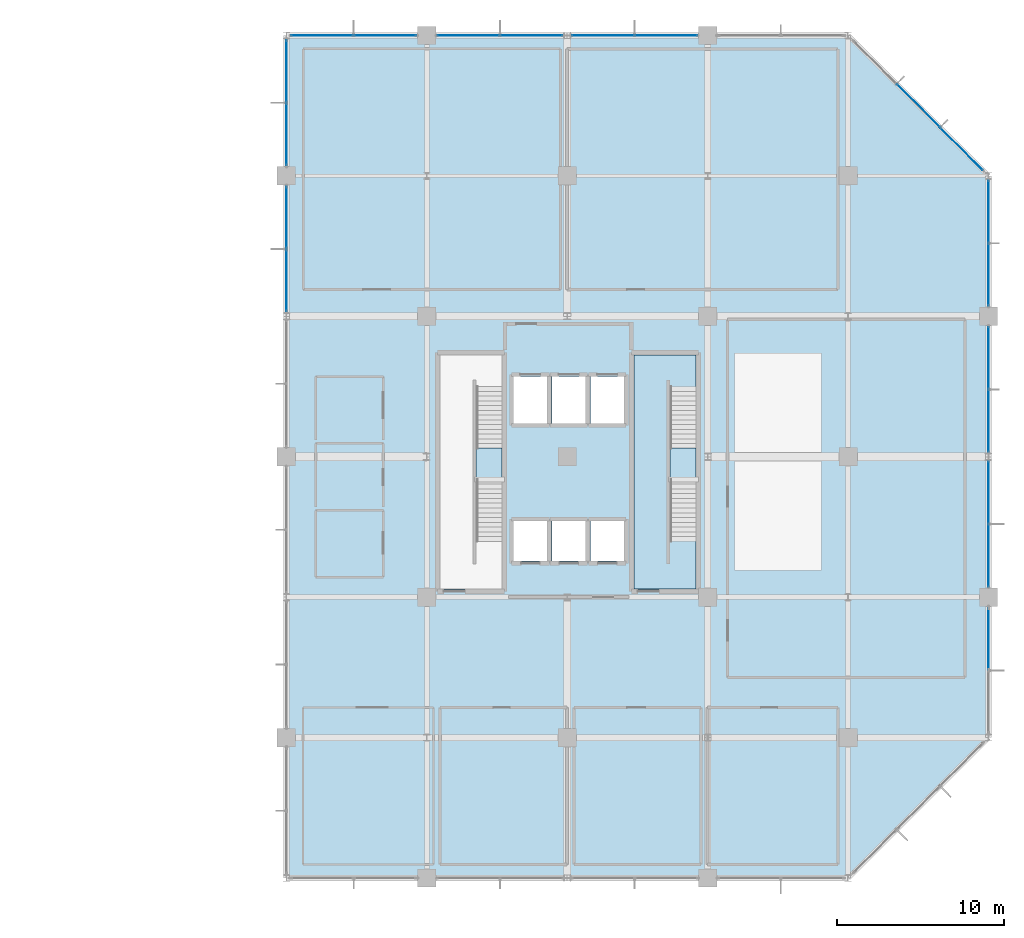
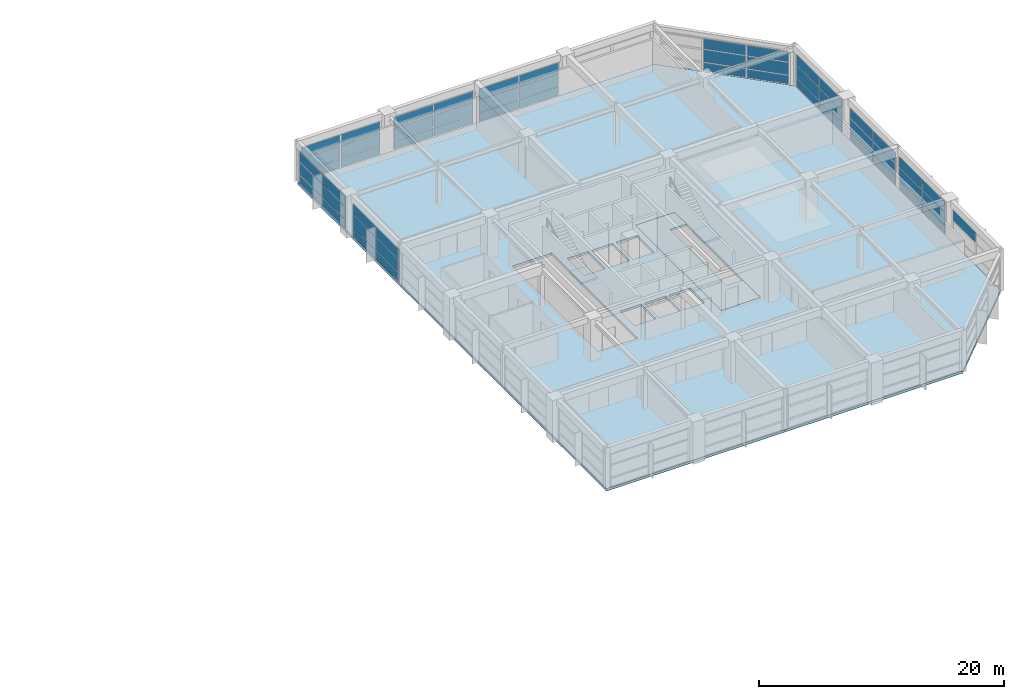
# One storey, part 13 of 18: 55 plates, 4 slabs, 12 elements without a shape of their own.
"""IFC4 building model written with IfcOpenShell, lengths in metres."""

import ifcopenshell
import ifcopenshell.guid

model = None  # the IFC model being written
_history = None  # IfcOwnerHistory: only IFC2X3 demands one
_inside = {}  # id of a spatial element -> (the spatial element, [elements in it])
_under = {}  # id of a project, library or spatial element -> (it, [spatial elements below it])
_declared = {}  # id of a project -> (the project, [libraries it declares])
_typed = {}  # id of a type object -> (the type object, [elements of that type])
_made_of = {}  # id of a material, layer set ... -> (it, [elements and type objects made of it])


def new_model(schema):
    """Start an empty IFC model of exactly this schema.

    Asked for "IFC4X3", IfcOpenShell would pick the latest addendum, in which some entities
    have other attributes; the version numbers below select the first issue.
    IFC2X3 requires an IfcOwnerHistory on every rooted entity: one is made here for all.
    """
    global model, _history
    if schema == "IFC4X3":
        model = ifcopenshell.file(schema_version=(4, 3, 0, 0))
    else:
        model = ifcopenshell.file(schema=schema)
    _inside.clear()
    _under.clear()
    _declared.clear()
    _typed.clear()
    _made_of.clear()
    _history = None
    if model.schema == "IFC2X3":
        org = make("IfcOrganization", Name="unknown")
        user = make(
            "IfcPersonAndOrganization",
            ThePerson=make("IfcPerson", FamilyName="unknown"),
            TheOrganization=org,
        )
        app = make(
            "IfcApplication",
            ApplicationDeveloper=org,
            Version="unknown",
            ApplicationFullName="unknown",
            ApplicationIdentifier="unknown",
        )
        _history = make(
            "IfcOwnerHistory",
            OwningUser=user,
            OwningApplication=app,
            ChangeAction="ADDED",
            CreationDate=0,
        )
    return model


def make(cls, **values):
    """One entity of the class cls with the attributes given. An attribute that is None is left unset."""
    return model.create_entity(
        cls, **{name: value for name, value in values.items() if value is not None}
    )


def rooted(cls, **values):
    """An entity with a GlobalId (a new one), such as an element, a storey or a relation."""
    return make(cls, GlobalId=ifcopenshell.guid.new(), OwnerHistory=_history, **values)


def si_unit(unit_type, name, prefix=None):
    """IfcSIUnit, for example si_unit("LENGTHUNIT", "METRE", prefix="MILLI")."""
    return make("IfcSIUnit", UnitType=unit_type, Prefix=prefix, Name=name)


def assignment(units):
    """IfcUnitAssignment: the units of a project."""
    return None if units is None else make("IfcUnitAssignment", Units=units)


def point(xyz):
    """IfcCartesianPoint."""
    return None if xyz is None else make("IfcCartesianPoint", Coordinates=xyz)


def direction(xyz):
    """IfcDirection."""
    return None if xyz is None else make("IfcDirection", DirectionRatios=xyz)


def frame(location, z_axis=None, x_axis=None):
    """IfcAxis2Placement3D, a coordinate frame: its origin and axes. An axis left out is left unset."""
    return make(
        "IfcAxis2Placement3D",
        Location=point(location),
        Axis=direction(z_axis),
        RefDirection=direction(x_axis),
    )


def frame_2d(location, x_axis=None):
    """IfcAxis2Placement2D, a coordinate frame in the plane: its origin and x axis."""
    return make(
        "IfcAxis2Placement2D", Location=point(location), RefDirection=direction(x_axis)
    )


def origin():
    """The frame at (0, 0, 0) with its axes left unset."""
    return frame((0.0, 0.0, 0.0))


def origin_2d():
    """The frame at (0, 0) in the plane with its x axis left unset."""
    return frame_2d((0.0, 0.0))


def place(relative_to, where):
    """IfcLocalPlacement: puts the frame where relative to a parent placement (None: the world)."""
    return make(
        "IfcLocalPlacement", PlacementRelTo=relative_to, RelativePlacement=where
    )


def context(
    kind, dimensions, precision=None, world=None, true_north=None, identifier=None
):
    """IfcGeometricRepresentationContext, for example the 3D "Model" context."""
    return make(
        "IfcGeometricRepresentationContext",
        ContextIdentifier=identifier,
        ContextType=kind,
        CoordinateSpaceDimension=dimensions,
        Precision=precision,
        WorldCoordinateSystem=world,
        TrueNorth=true_north,
    )


def subcontext(parent, identifier, kind, view, scale=None):
    """IfcGeometricRepresentationSubContext, for example "Body" below "Model"."""
    return make(
        "IfcGeometricRepresentationSubContext",
        ContextIdentifier=identifier,
        ContextType=kind,
        ParentContext=parent,
        TargetScale=scale,
        TargetView=view,
    )


def project(units=None, contexts=None):
    """IfcProject with its units and contexts."""
    return rooted(
        "IfcProject",
        Name="project",
        RepresentationContexts=contexts,
        UnitsInContext=assignment(units),
    )


def spatial(cls, under=None, at=None, **own):
    """A site, building, storey or space (cls), placed at a placement, below another one or the project."""
    s = rooted(cls, ObjectPlacement=at, **own)
    if under is not None:
        _under.setdefault(under.id(), (under, []))[1].append(s)
    return s


def polyline(points):
    """IfcPolyline through the points."""
    return make("IfcPolyline", Points=[point(p) for p in points])


def profile(cls, at=None, kind="AREA", **sizes):
    """A parametric profile (cls). Its sizes go by their IFC names, for example OverallWidth=200.0."""
    return make(cls, ProfileType=kind, Position=at, **sizes)


def rectangle(**sizes):
    """IfcRectangleProfileDef."""
    return profile("IfcRectangleProfileDef", **sizes)


def outline(outer, holes=None, kind="AREA"):
    """IfcArbitraryClosedProfileDef: a profile drawn as a closed curve; with holes, ...WithVoids."""
    if holes is None:
        return make("IfcArbitraryClosedProfileDef", ProfileType=kind, OuterCurve=outer)
    return make(
        "IfcArbitraryProfileDefWithVoids",
        ProfileType=kind,
        OuterCurve=outer,
        InnerCurves=holes,
    )


def extrude(swept, where, along, depth):
    """IfcExtrudedAreaSolid: the profile swept, set in the frame where, extruded along a direction by depth."""
    return make(
        "IfcExtrudedAreaSolid",
        SweptArea=swept,
        Position=where,
        ExtrudedDirection=direction(along),
        Depth=depth,
    )


def shape(context_of_items, identifier, shape_type, items):
    """IfcShapeRepresentation: the items that make up one representation, for example the "Body"."""
    return make(
        "IfcShapeRepresentation",
        ContextOfItems=context_of_items,
        RepresentationIdentifier=identifier,
        RepresentationType=shape_type,
        Items=items,
    )


def material(Name=None, Category=None):
    """IfcMaterial."""
    return make("IfcMaterial", Name=Name, Category=Category)


def layer(
    of_material, thickness, ventilated=None, Name=None, Category=None, Priority=None
):
    """IfcMaterialLayer: one layer of a wall or slab, of a material (None: an air gap)."""
    return make(
        "IfcMaterialLayer",
        Material=of_material,
        LayerThickness=thickness,
        IsVentilated=ventilated,
        Name=Name,
        Category=Category,
        Priority=Priority,
    )


def layer_set(layers, Name=None):
    """IfcMaterialLayerSet."""
    return make("IfcMaterialLayerSet", MaterialLayers=layers, LayerSetName=Name)


def made_of(thing, what):
    """Note that an element or type object is made of a material, layer set ...; save() writes the relation."""
    if what is not None:
        _made_of.setdefault(what.id(), (what, []))[1].append(thing)
    return thing


def type_object(cls, material=None, **own):
    """A type object (cls), such as IfcWallType, which elements share."""
    return made_of(rooted(cls, **own), material)


def element(
    cls,
    number,
    at=None,
    inside=None,
    cuts=None,
    type_object=None,
    material=None,
    context=None,
    identifier="Body",
    shape_type=None,
    held_by="IfcProductDefinitionShape",
    body=None,
    shapes=None,
    **own,
):
    """One element of the class cls, such as IfcWall. Its Tag is "e" and its number.

    at: its placement. inside: the storey or other place that contains it. cuts: it is an
    opening in that element (IfcRelVoidsElement). A single representation is given by context,
    identifier, shape_type and body (its items); several are given by shapes. held_by: the class
    of the entity that holds the representations. save() writes the other relations.
    """
    e = rooted(cls, Tag="e%d" % number, ObjectPlacement=at, **own)
    if body is not None:
        shapes = [shape(context, identifier, shape_type, body)]
    if shapes is not None:
        e.Representation = make(held_by, Representations=shapes)
    if inside is not None:
        _inside.setdefault(inside.id(), (inside, []))[1].append(e)
    if cuts is not None:
        rooted(
            "IfcRelVoidsElement", RelatingBuildingElement=cuts, RelatedOpeningElement=e
        )
    if type_object is not None:
        _typed.setdefault(type_object.id(), (type_object, []))[1].append(e)
    return made_of(e, material)


def aggregate(whole, parts):
    """IfcRelAggregates: a whole, such as a stair, and the parts it consists of."""
    return rooted("IfcRelAggregates", RelatingObject=whole, RelatedObjects=parts)


def save(model, path):
    """Write the relations noted so far, then the file.

    IfcRelAggregates (storeys below a building ...), IfcRelContainedInSpatialStructure (elements
    in a storey), IfcRelDefinesByType, IfcRelAssociatesMaterial and IfcRelDeclares: one each for
    every whole, place, type object, material and project.
    """
    for whole, parts in _under.values():
        aggregate(whole, parts)
    for where, things in _inside.values():
        rooted(
            "IfcRelContainedInSpatialStructure",
            RelatedElements=things,
            RelatingStructure=where,
        )
    for kind, things in _typed.values():
        rooted("IfcRelDefinesByType", RelatedObjects=things, RelatingType=kind)
    for what, things in _made_of.values():
        rooted("IfcRelAssociatesMaterial", RelatedObjects=things, RelatingMaterial=what)
    for by, libraries in _declared.values():
        rooted("IfcRelDeclares", RelatingContext=by, RelatedDefinitions=libraries)
    model.write(path)


model = new_model("IFC4")

# Units and contexts
model_context = context("Model", 3, precision=1e-05, world=origin(), true_north=direction((0.0, 1.0)))
body_context = subcontext(model_context, "Body", "Model", "MODEL_VIEW")
ifc_project = project(units=[si_unit("LENGTHUNIT", "METRE"), si_unit("AREAUNIT", "SQUARE_METRE"), si_unit("VOLUMEUNIT", "CUBIC_METRE"), si_unit("PLANEANGLEUNIT", "RADIAN"), si_unit("MASSUNIT", "GRAM", prefix="KILO")], contexts=[model_context])

# Site, building, storey
site_placement = place(None, origin())
site = spatial("IfcSite", under=ifc_project, at=site_placement, CompositionType="ELEMENT")
building_placement = place(site_placement, origin())
building = spatial("IfcBuilding", under=site, at=building_placement, Name="Xuanlan Plaza Opera House", CompositionType="ELEMENT")
storey_placement = place(building_placement, frame((0.0, 0.0, 32.10009765625)))
storey = spatial("IfcBuildingStorey", under=building, at=storey_placement, Name="L07", CompositionType="ELEMENT", Elevation=32.10009765625)

# Curtain wall, plates
ifc_material_1 = material(Name="Anodised Aluminium 6063-T6 and Low-E Glass", Category="aluminium")
curtain_wall_type_1 = type_object("IfcCurtainWallType", Name="ENV-CW-CW-02", PredefinedType="USERDEFINED", material=ifc_material_1)
curtain_wall_1_placement = place(storey_placement, origin())
curtain_wall_1 = element("IfcCurtainWall", 1, at=curtain_wall_1_placement, inside=storey, type_object=curtain_wall_type_1, Name="Unitised Curtain Wall L07-009", ObjectType="UNITISED CURTAIN WALL", PredefinedType="USERDEFINED")
ifc_material_2 = material(Name="Laminated Acoustic Double Glazing", Category="glass")
ifc_layer_1 = layer(ifc_material_2, 0.028076171875)
ifc_layer_set_1 = layer_set([ifc_layer_1], Name="Laminated Acoustic Double Glazing")
plate_type_1 = type_object("IfcPlateType", Name="ENV-CWP-01", PredefinedType="CURTAIN_PANEL", material=ifc_layer_set_1)
plate_1_placement = place(storey_placement, frame((168.0, 69.691162109375, 0.06982421875), z_axis=(0.0, 0.0, 1.0), x_axis=(0.0, 1.0, 0.0)))
plate_1 = element("IfcPlate", 2, at=plate_1_placement, type_object=plate_type_1, Name="CW-02 panel 1.1", PredefinedType="CURTAIN_PANEL", context=body_context, shape_type="SweptSolid", body=[
    extrude(rectangle(XDim=3.6923828125, YDim=0.028076171875, at=origin_2d()), origin(), (0.0, 0.0, 1.0), 0.844970703125),
])
plate_2_placement = place(storey_placement, frame((168.0, 69.691162109375, 0.98486328125), z_axis=(0.0, 0.0, 1.0), x_axis=(0.0, 1.0, 0.0)))
plate_2 = element("IfcPlate", 3, at=plate_2_placement, type_object=plate_type_1, Name="CW-02 panel 1.2", PredefinedType="CURTAIN_PANEL", context=body_context, shape_type="SweptSolid", body=[
    extrude(rectangle(XDim=3.6923828125, YDim=0.028076171875, at=origin_2d()), origin(), (0.0, 0.0, 1.0), 1.22998046875),
])
plate_3_placement = place(storey_placement, frame((168.0, 69.691162109375, 2.284912109375), z_axis=(0.0, 0.0, 1.0), x_axis=(0.0, 1.0, 0.0)))
plate_3 = element("IfcPlate", 4, at=plate_3_placement, type_object=plate_type_1, Name="CW-02 panel 1.3", PredefinedType="CURTAIN_PANEL", context=body_context, shape_type="SweptSolid", body=[
    extrude(rectangle(XDim=3.6923828125, YDim=0.028076171875, at=origin_2d()), origin(), (0.0, 0.0, 1.0), 1.02490234375),
])
plate_4_placement = place(storey_placement, frame((168.0, 73.458740234375, 0.06982421875), z_axis=(0.0, 0.0, 1.0), x_axis=(0.0, 1.0, 0.0)))
plate_4 = element("IfcPlate", 5, at=plate_4_placement, type_object=plate_type_1, Name="CW-02 panel 2.1", PredefinedType="CURTAIN_PANEL", context=body_context, shape_type="SweptSolid", body=[
    extrude(rectangle(XDim=3.6923828125, YDim=0.028076171875, at=origin_2d()), origin(), (0.0, 0.0, 1.0), 0.844970703125),
])
plate_5_placement = place(storey_placement, frame((168.0, 73.458740234375, 0.98486328125), z_axis=(0.0, 0.0, 1.0), x_axis=(0.0, 1.0, 0.0)))
plate_5 = element("IfcPlate", 6, at=plate_5_placement, type_object=plate_type_1, Name="CW-02 panel 2.2", PredefinedType="CURTAIN_PANEL", context=body_context, shape_type="SweptSolid", body=[
    extrude(rectangle(XDim=3.6923828125, YDim=0.028076171875, at=origin_2d()), origin(), (0.0, 0.0, 1.0), 1.22998046875),
])
plate_6_placement = place(storey_placement, frame((168.0, 73.458740234375, 2.284912109375), z_axis=(0.0, 0.0, 1.0), x_axis=(0.0, 1.0, 0.0)))
plate_6 = element("IfcPlate", 7, at=plate_6_placement, type_object=plate_type_1, Name="CW-02 panel 2.3", PredefinedType="CURTAIN_PANEL", context=body_context, shape_type="SweptSolid", body=[
    extrude(rectangle(XDim=3.6923828125, YDim=0.028076171875, at=origin_2d()), origin(), (0.0, 0.0, 1.0), 1.02490234375),
])
aggregate(curtain_wall_1, [plate_1, plate_2, plate_3, plate_4, plate_5, plate_6])

curtain_wall_type_2 = type_object("IfcCurtainWallType", Name="ENV-CW-CW-03", PredefinedType="USERDEFINED", material=ifc_material_1)
curtain_wall_2_placement = place(storey_placement, origin())
curtain_wall_2 = element("IfcCurtainWall", 8, at=curtain_wall_2_placement, inside=storey, type_object=curtain_wall_type_2, Name="Unitised Curtain Wall L07-014", ObjectType="UNITISED CURTAIN WALL", PredefinedType="USERDEFINED")
plate_7_placement = place(storey_placement, frame((131.90869140625, 84.0, 0.06982421875), z_axis=(0.0, 0.0, 1.0), x_axis=(-1.0, 0.0, 0.0)))
plate_7 = element("IfcPlate", 9, at=plate_7_placement, type_object=plate_type_1, Name="CW-03 panel 1.1", PredefinedType="CURTAIN_PANEL", context=body_context, shape_type="SweptSolid", body=[
    extrude(rectangle(XDim=3.6923828125, YDim=0.028076171875, at=origin_2d()), origin(), (0.0, 0.0, 1.0), 0.844970703125),
])
plate_8_placement = place(storey_placement, frame((131.90869140625, 84.0, 0.98486328125), z_axis=(0.0, 0.0, 1.0), x_axis=(-1.0, 0.0, 0.0)))
plate_8 = element("IfcPlate", 10, at=plate_8_placement, type_object=plate_type_1, Name="CW-03 panel 1.2", PredefinedType="CURTAIN_PANEL", context=body_context, shape_type="SweptSolid", body=[
    extrude(rectangle(XDim=3.6923828125, YDim=0.028076171875, at=origin_2d()), origin(), (0.0, 0.0, 1.0), 1.22998046875),
])
plate_9_placement = place(storey_placement, frame((131.90869140625, 84.0, 2.284912109375), z_axis=(0.0, 0.0, 1.0), x_axis=(-1.0, 0.0, 0.0)))
plate_9 = element("IfcPlate", 11, at=plate_9_placement, type_object=plate_type_1, Name="CW-03 panel 1.3", PredefinedType="CURTAIN_PANEL", context=body_context, shape_type="SweptSolid", body=[
    extrude(rectangle(XDim=3.6923828125, YDim=0.028076171875, at=origin_2d()), origin(), (0.0, 0.0, 1.0), 1.02490234375),
])
plate_10_placement = place(storey_placement, frame((128.141357421875, 84.0, 0.06982421875), z_axis=(0.0, 0.0, 1.0), x_axis=(-1.0, 0.0, 0.0)))
plate_10 = element("IfcPlate", 12, at=plate_10_placement, type_object=plate_type_1, Name="CW-03 panel 2.1", PredefinedType="CURTAIN_PANEL", context=body_context, shape_type="SweptSolid", body=[
    extrude(rectangle(XDim=3.6923828125, YDim=0.028076171875, at=origin_2d()), origin(), (0.0, 0.0, 1.0), 0.844970703125),
])
plate_11_placement = place(storey_placement, frame((128.141357421875, 84.0, 0.98486328125), z_axis=(0.0, 0.0, 1.0), x_axis=(-1.0, 0.0, 0.0)))
plate_11 = element("IfcPlate", 13, at=plate_11_placement, type_object=plate_type_1, Name="CW-03 panel 2.2", PredefinedType="CURTAIN_PANEL", context=body_context, shape_type="SweptSolid", body=[
    extrude(rectangle(XDim=3.6923828125, YDim=0.028076171875, at=origin_2d()), origin(), (0.0, 0.0, 1.0), 1.22998046875),
])
plate_12_placement = place(storey_placement, frame((128.141357421875, 84.0, 2.284912109375), z_axis=(0.0, 0.0, 1.0), x_axis=(-1.0, 0.0, 0.0)))
plate_12 = element("IfcPlate", 14, at=plate_12_placement, type_object=plate_type_1, Name="CW-03 panel 2.3", PredefinedType="CURTAIN_PANEL", context=body_context, shape_type="SweptSolid", body=[
    extrude(rectangle(XDim=3.6923828125, YDim=0.028076171875, at=origin_2d()), origin(), (0.0, 0.0, 1.0), 1.02490234375),
])
aggregate(curtain_wall_2, [plate_7, plate_8, plate_9, plate_10, plate_11, plate_12])

# Curtain wall, plate
curtain_wall_3_placement = place(storey_placement, origin())
curtain_wall_3 = element("IfcCurtainWall", 15, at=curtain_wall_3_placement, inside=storey, type_object=curtain_wall_type_2, Name="Unitised Curtain Wall L07-006", ObjectType="UNITISED CURTAIN WALL", PredefinedType="USERDEFINED")
ifc_layer_2 = layer(ifc_material_2, 0.031982421875)
ifc_layer_set_2 = layer_set([ifc_layer_2], Name="Laminated Acoustic Double Glazing")
plate_type_2 = type_object("IfcPlateType", Name="ENV-CWP-02", PredefinedType="CURTAIN_PANEL", material=ifc_layer_set_2)
plate_13_placement = place(storey_placement, frame((168.0, 47.905029296875, 2.2822265625), z_axis=(0.0, 0.0, 1.0), x_axis=(0.0, 1.0, 0.0)))
plate_13 = element("IfcPlate", 16, at=plate_13_placement, type_object=plate_type_2, Name="CW-03 panel 2.3", PredefinedType="CURTAIN_PANEL", context=body_context, shape_type="SweptSolid", body=[
    extrude(rectangle(XDim=3.669921875, YDim=0.031982421875, at=origin_2d()), origin(), (0.0, 0.0, 1.0), 1.032470703125),
])
aggregate(curtain_wall_3, [plate_13])

# Curtain wall, plates
curtain_wall_type_3 = type_object("IfcCurtainWallType", Name="ENV-CW-CW-01", PredefinedType="USERDEFINED", material=ifc_material_1)
curtain_wall_4_placement = place(storey_placement, origin())
curtain_wall_4 = element("IfcCurtainWall", 17, at=curtain_wall_4_placement, inside=storey, type_object=curtain_wall_type_3, Name="Unitised Curtain Wall L07-016", ObjectType="UNITISED CURTAIN WALL", PredefinedType="USERDEFINED")
plate_14_placement = place(storey_placement, frame((126.0, 73.10498046875, 0.06494140625), z_axis=(0.0, 0.0, 1.0), x_axis=(0.0, -1.0, 0.0)))
plate_14 = element("IfcPlate", 18, at=plate_14_placement, type_object=plate_type_2, Name="CW-01 panel 1.1", PredefinedType="CURTAIN_PANEL", context=body_context, shape_type="SweptSolid", body=[
    extrude(rectangle(XDim=3.669921875, YDim=0.031982421875, at=origin_2d()), origin(), (0.0, 0.0, 1.0), 0.8525390625),
])
plate_15_placement = place(storey_placement, frame((126.0, 73.10498046875, 0.982421875), z_axis=(0.0, 0.0, 1.0), x_axis=(0.0, -1.0, 0.0)))
plate_15 = element("IfcPlate", 19, at=plate_15_placement, type_object=plate_type_2, Name="CW-01 panel 1.2", PredefinedType="CURTAIN_PANEL", context=body_context, shape_type="SweptSolid", body=[
    extrude(rectangle(XDim=3.669921875, YDim=0.031982421875, at=origin_2d()), origin(), (0.0, 0.0, 1.0), 1.235107421875),
])
plate_16_placement = place(storey_placement, frame((126.0, 73.10498046875, 2.2822265625), z_axis=(0.0, 0.0, 1.0), x_axis=(0.0, -1.0, 0.0)))
plate_16 = element("IfcPlate", 20, at=plate_16_placement, type_object=plate_type_2, Name="CW-01 panel 1.3", PredefinedType="CURTAIN_PANEL", context=body_context, shape_type="SweptSolid", body=[
    extrude(rectangle(XDim=3.669921875, YDim=0.031982421875, at=origin_2d()), origin(), (0.0, 0.0, 1.0), 1.032470703125),
])
plate_17_placement = place(storey_placement, frame((126.0, 69.344970703125, 0.06494140625), z_axis=(0.0, 0.0, 1.0), x_axis=(0.0, -1.0, 0.0)))
plate_17 = element("IfcPlate", 21, at=plate_17_placement, type_object=plate_type_2, Name="CW-01 panel 2.1", PredefinedType="CURTAIN_PANEL", context=body_context, shape_type="SweptSolid", body=[
    extrude(rectangle(XDim=3.669921875, YDim=0.031982421875, at=origin_2d()), origin(), (0.0, 0.0, 1.0), 0.8525390625),
])
plate_18_placement = place(storey_placement, frame((126.0, 69.344970703125, 0.982421875), z_axis=(0.0, 0.0, 1.0), x_axis=(0.0, -1.0, 0.0)))
plate_18 = element("IfcPlate", 22, at=plate_18_placement, type_object=plate_type_2, Name="CW-01 panel 2.2", PredefinedType="CURTAIN_PANEL", context=body_context, shape_type="SweptSolid", body=[
    extrude(rectangle(XDim=3.669921875, YDim=0.031982421875, at=origin_2d()), origin(), (0.0, 0.0, 1.0), 1.235107421875),
])
plate_19_placement = place(storey_placement, frame((126.0, 69.344970703125, 2.2822265625), z_axis=(0.0, 0.0, 1.0), x_axis=(0.0, -1.0, 0.0)))
plate_19 = element("IfcPlate", 23, at=plate_19_placement, type_object=plate_type_2, Name="CW-01 panel 2.3", PredefinedType="CURTAIN_PANEL", context=body_context, shape_type="SweptSolid", body=[
    extrude(rectangle(XDim=3.669921875, YDim=0.031982421875, at=origin_2d()), origin(), (0.0, 0.0, 1.0), 1.032470703125),
])
aggregate(curtain_wall_4, [plate_14, plate_15, plate_16, plate_17, plate_18, plate_19])

curtain_wall_5_placement = place(storey_placement, origin())
curtain_wall_5 = element("IfcCurtainWall", 24, at=curtain_wall_5_placement, inside=storey, type_object=curtain_wall_type_3, Name="Unitised Curtain Wall L07-008", ObjectType="UNITISED CURTAIN WALL", PredefinedType="USERDEFINED")
ifc_layer_3 = layer(ifc_material_2, 0.035888671875)
ifc_layer_set_3 = layer_set([ifc_layer_3], Name="Laminated Acoustic Double Glazing")
plate_type_3 = type_object("IfcPlateType", Name="ENV-CWP-03", PredefinedType="CURTAIN_PANEL", material=ifc_layer_set_3)
plate_20_placement = place(storey_placement, frame((168.0, 60.93994140625, 0.08984375), z_axis=(0.0, 0.0, 1.0), x_axis=(0.0, 1.0, 0.0)))
plate_20 = element("IfcPlate", 25, at=plate_20_placement, type_object=plate_type_3, Name="CW-01 panel 1.1", PredefinedType="CURTAIN_PANEL", context=body_context, shape_type="SweptSolid", body=[
    extrude(rectangle(XDim=3.699951171875, YDim=0.035888671875, at=origin_2d()), origin(), (0.0, 0.0, 1.0), 0.81494140625),
])
plate_21_placement = place(storey_placement, frame((168.0, 60.93994140625, 0.994873046875), z_axis=(0.0, 0.0, 1.0), x_axis=(0.0, 1.0, 0.0)))
plate_21 = element("IfcPlate", 26, at=plate_21_placement, type_object=plate_type_3, Name="CW-01 panel 1.2", PredefinedType="CURTAIN_PANEL", context=body_context, shape_type="SweptSolid", body=[
    extrude(rectangle(XDim=3.699951171875, YDim=0.035888671875, at=origin_2d()), origin(), (0.0, 0.0, 1.0), 1.2099609375),
])
plate_22_placement = place(storey_placement, frame((168.0, 60.93994140625, 2.294921875), z_axis=(0.0, 0.0, 1.0), x_axis=(0.0, 1.0, 0.0)))
plate_22 = element("IfcPlate", 27, at=plate_22_placement, type_object=plate_type_3, Name="CW-01 panel 1.3", PredefinedType="CURTAIN_PANEL", context=body_context, shape_type="SweptSolid", body=[
    extrude(rectangle(XDim=3.699951171875, YDim=0.035888671875, at=origin_2d()), origin(), (0.0, 0.0, 1.0), 0.9951171875),
])
plate_23_placement = place(storey_placement, frame((168.0, 64.7099609375, 0.08984375), z_axis=(0.0, 0.0, 1.0), x_axis=(0.0, 1.0, 0.0)))
plate_23 = element("IfcPlate", 28, at=plate_23_placement, type_object=plate_type_3, Name="CW-01 panel 2.1", PredefinedType="CURTAIN_PANEL", context=body_context, shape_type="SweptSolid", body=[
    extrude(rectangle(XDim=3.699951171875, YDim=0.035888671875, at=origin_2d()), origin(), (0.0, 0.0, 1.0), 0.81494140625),
])
plate_24_placement = place(storey_placement, frame((168.0, 64.7099609375, 0.994873046875), z_axis=(0.0, 0.0, 1.0), x_axis=(0.0, 1.0, 0.0)))
plate_24 = element("IfcPlate", 29, at=plate_24_placement, type_object=plate_type_3, Name="CW-01 panel 2.2", PredefinedType="CURTAIN_PANEL", context=body_context, shape_type="SweptSolid", body=[
    extrude(rectangle(XDim=3.699951171875, YDim=0.035888671875, at=origin_2d()), origin(), (0.0, 0.0, 1.0), 1.2099609375),
])
plate_25_placement = place(storey_placement, frame((168.0, 64.7099609375, 2.294921875), z_axis=(0.0, 0.0, 1.0), x_axis=(0.0, 1.0, 0.0)))
plate_25 = element("IfcPlate", 30, at=plate_25_placement, type_object=plate_type_3, Name="CW-01 panel 2.3", PredefinedType="CURTAIN_PANEL", context=body_context, shape_type="SweptSolid", body=[
    extrude(rectangle(XDim=3.699951171875, YDim=0.035888671875, at=origin_2d()), origin(), (0.0, 0.0, 1.0), 0.9951171875),
])
aggregate(curtain_wall_5, [plate_20, plate_21, plate_22, plate_23, plate_24, plate_25])

curtain_wall_6_placement = place(storey_placement, origin())
curtain_wall_6 = element("IfcCurtainWall", 31, at=curtain_wall_6_placement, inside=storey, type_object=curtain_wall_type_1, Name="Unitised Curtain Wall L07-013", ObjectType="UNITISED CURTAIN WALL", PredefinedType="USERDEFINED")
plate_26_placement = place(storey_placement, frame((140.659912109375, 84.0, 0.08984375), z_axis=(0.0, 0.0, 1.0), x_axis=(-1.0, 0.0, 0.0)))
plate_26 = element("IfcPlate", 32, at=plate_26_placement, type_object=plate_type_3, Name="CW-02 panel 1.1", PredefinedType="CURTAIN_PANEL", context=body_context, shape_type="SweptSolid", body=[
    extrude(rectangle(XDim=3.699951171875, YDim=0.035888671875, at=origin_2d()), origin(), (0.0, 0.0, 1.0), 0.81494140625),
])
plate_27_placement = place(storey_placement, frame((140.659912109375, 84.0, 0.994873046875), z_axis=(0.0, 0.0, 1.0), x_axis=(-1.0, 0.0, 0.0)))
plate_27 = element("IfcPlate", 33, at=plate_27_placement, type_object=plate_type_3, Name="CW-02 panel 1.2", PredefinedType="CURTAIN_PANEL", context=body_context, shape_type="SweptSolid", body=[
    extrude(rectangle(XDim=3.699951171875, YDim=0.035888671875, at=origin_2d()), origin(), (0.0, 0.0, 1.0), 1.2099609375),
])
plate_28_placement = place(storey_placement, frame((140.659912109375, 84.0, 2.294921875), z_axis=(0.0, 0.0, 1.0), x_axis=(-1.0, 0.0, 0.0)))
plate_28 = element("IfcPlate", 34, at=plate_28_placement, type_object=plate_type_3, Name="CW-02 panel 1.3", PredefinedType="CURTAIN_PANEL", context=body_context, shape_type="SweptSolid", body=[
    extrude(rectangle(XDim=3.699951171875, YDim=0.035888671875, at=origin_2d()), origin(), (0.0, 0.0, 1.0), 0.9951171875),
])
plate_29_placement = place(storey_placement, frame((136.889892578125, 84.0, 0.08984375), z_axis=(0.0, 0.0, 1.0), x_axis=(-1.0, 0.0, 0.0)))
plate_29 = element("IfcPlate", 35, at=plate_29_placement, type_object=plate_type_3, Name="CW-02 panel 2.1", PredefinedType="CURTAIN_PANEL", context=body_context, shape_type="SweptSolid", body=[
    extrude(rectangle(XDim=3.699951171875, YDim=0.035888671875, at=origin_2d()), origin(), (0.0, 0.0, 1.0), 0.81494140625),
])
plate_30_placement = place(storey_placement, frame((136.889892578125, 84.0, 0.994873046875), z_axis=(0.0, 0.0, 1.0), x_axis=(-1.0, 0.0, 0.0)))
plate_30 = element("IfcPlate", 36, at=plate_30_placement, type_object=plate_type_3, Name="CW-02 panel 2.2", PredefinedType="CURTAIN_PANEL", context=body_context, shape_type="SweptSolid", body=[
    extrude(rectangle(XDim=3.699951171875, YDim=0.035888671875, at=origin_2d()), origin(), (0.0, 0.0, 1.0), 1.2099609375),
])
plate_31_placement = place(storey_placement, frame((136.889892578125, 84.0, 2.294921875), z_axis=(0.0, 0.0, 1.0), x_axis=(-1.0, 0.0, 0.0)))
plate_31 = element("IfcPlate", 37, at=plate_31_placement, type_object=plate_type_3, Name="CW-02 panel 2.3", PredefinedType="CURTAIN_PANEL", context=body_context, shape_type="SweptSolid", body=[
    extrude(rectangle(XDim=3.699951171875, YDim=0.035888671875, at=origin_2d()), origin(), (0.0, 0.0, 1.0), 0.9951171875),
])
aggregate(curtain_wall_6, [plate_26, plate_27, plate_28, plate_29, plate_30, plate_31])

curtain_wall_7_placement = place(storey_placement, origin())
curtain_wall_7 = element("IfcCurtainWall", 38, at=curtain_wall_7_placement, inside=storey, type_object=curtain_wall_type_2, Name="Unitised Curtain Wall L07-010", ObjectType="UNITISED CURTAIN WALL", PredefinedType="USERDEFINED")
ifc_layer_4 = layer(ifc_material_2, 0.0400390625)
ifc_layer_set_4 = layer_set([ifc_layer_4], Name="Laminated Acoustic Double Glazing")
plate_type_4 = type_object("IfcPlateType", Name="ENV-CWP-04", PredefinedType="CURTAIN_PANEL", material=ifc_layer_set_4)
plate_32_placement = place(storey_placement, frame((166.386474609375, 77.21337890625, 0.079833984375), z_axis=(0.0, 0.0, 1.0), x_axis=(-0.707106781187, 0.707106781187, 0.0)))
plate_32 = element("IfcPlate", 39, at=plate_32_placement, type_object=plate_type_4, Name="CW-03 panel 1.1", PredefinedType="CURTAIN_PANEL", context=body_context, shape_type="SweptSolid", body=[
    extrude(rectangle(XDim=3.557861328125, YDim=0.0400390625, at=origin_2d()), origin(), (0.0, 0.0, 1.0), 0.830078125),
])
plate_33_placement = place(storey_placement, frame((166.386474609375, 77.21337890625, 0.98974609375), z_axis=(0.0, 0.0, 1.0), x_axis=(-0.707106781187, 0.707106781187, 0.0)))
plate_33 = element("IfcPlate", 40, at=plate_33_placement, type_object=plate_type_4, Name="CW-03 panel 1.2", PredefinedType="CURTAIN_PANEL", context=body_context, shape_type="SweptSolid", body=[
    extrude(rectangle(XDim=3.557861328125, YDim=0.0400390625, at=origin_2d()), origin(), (0.0, 0.0, 1.0), 1.219970703125),
])
plate_34_placement = place(storey_placement, frame((166.386474609375, 77.21337890625, 2.2900390625), z_axis=(0.0, 0.0, 1.0), x_axis=(-0.707106781187, 0.707106781187, 0.0)))
plate_34 = element("IfcPlate", 41, at=plate_34_placement, type_object=plate_type_4, Name="CW-03 panel 1.3", PredefinedType="CURTAIN_PANEL", context=body_context, shape_type="SweptSolid", body=[
    extrude(rectangle(XDim=3.557861328125, YDim=0.0400390625, at=origin_2d()), origin(), (0.0, 0.0, 1.0), 1.010009765625),
])
plate_35_placement = place(storey_placement, frame((163.800048828125, 79.800048828125, 0.079833984375), z_axis=(0.0, 0.0, 1.0), x_axis=(-0.707106781187, 0.707106781187, 0.0)))
plate_35 = element("IfcPlate", 42, at=plate_35_placement, type_object=plate_type_4, Name="CW-03 panel 2.1", PredefinedType="CURTAIN_PANEL", context=body_context, shape_type="SweptSolid", body=[
    extrude(rectangle(XDim=3.597900390625, YDim=0.0400390625, at=origin_2d()), origin(), (0.0, 0.0, 1.0), 0.830078125),
])
plate_36_placement = place(storey_placement, frame((163.800048828125, 79.800048828125, 0.98974609375), z_axis=(0.0, 0.0, 1.0), x_axis=(-0.707106781187, 0.707106781187, 0.0)))
plate_36 = element("IfcPlate", 43, at=plate_36_placement, type_object=plate_type_4, Name="CW-03 panel 2.2", PredefinedType="CURTAIN_PANEL", context=body_context, shape_type="SweptSolid", body=[
    extrude(rectangle(XDim=3.597900390625, YDim=0.0400390625, at=origin_2d()), origin(), (0.0, 0.0, 1.0), 1.219970703125),
])
plate_37_placement = place(storey_placement, frame((163.800048828125, 79.800048828125, 2.2900390625), z_axis=(0.0, 0.0, 1.0), x_axis=(-0.707106781187, 0.707106781187, 0.0)))
plate_37 = element("IfcPlate", 44, at=plate_37_placement, type_object=plate_type_4, Name="CW-03 panel 2.3", PredefinedType="CURTAIN_PANEL", context=body_context, shape_type="SweptSolid", body=[
    extrude(rectangle(XDim=3.597900390625, YDim=0.0400390625, at=origin_2d()), origin(), (0.0, 0.0, 1.0), 1.010009765625),
])
aggregate(curtain_wall_7, [plate_32, plate_33, plate_34, plate_35, plate_36, plate_37])

curtain_wall_type_4 = type_object("IfcCurtainWallType", Name="ENV-CW-CW-04", PredefinedType="USERDEFINED", material=ifc_material_1)
curtain_wall_8_placement = place(storey_placement, origin())
curtain_wall_8 = element("IfcCurtainWall", 45, at=curtain_wall_8_placement, inside=storey, type_object=curtain_wall_type_4, Name="Unitised Curtain Wall L07-015", ObjectType="UNITISED CURTAIN WALL", PredefinedType="USERDEFINED")
plate_38_placement = place(storey_placement, frame((126.0, 81.857421875, 0.079833984375), z_axis=(0.0, 0.0, 1.0), x_axis=(0.0, -1.0, 0.0)))
plate_38 = element("IfcPlate", 46, at=plate_38_placement, type_object=plate_type_4, Name="CW-04 panel 1.1", PredefinedType="CURTAIN_PANEL", context=body_context, shape_type="SweptSolid", body=[
    extrude(rectangle(XDim=3.68505859375, YDim=0.0400390625, at=origin_2d()), origin(), (0.0, 0.0, 1.0), 0.830078125),
])
plate_39_placement = place(storey_placement, frame((126.0, 81.857421875, 0.98974609375), z_axis=(0.0, 0.0, 1.0), x_axis=(0.0, -1.0, 0.0)))
plate_39 = element("IfcPlate", 47, at=plate_39_placement, type_object=plate_type_4, Name="CW-04 panel 1.2", PredefinedType="CURTAIN_PANEL", context=body_context, shape_type="SweptSolid", body=[
    extrude(rectangle(XDim=3.68505859375, YDim=0.0400390625, at=origin_2d()), origin(), (0.0, 0.0, 1.0), 1.219970703125),
])
plate_40_placement = place(storey_placement, frame((126.0, 81.857421875, 2.2900390625), z_axis=(0.0, 0.0, 1.0), x_axis=(0.0, -1.0, 0.0)))
plate_40 = element("IfcPlate", 48, at=plate_40_placement, type_object=plate_type_4, Name="CW-04 panel 1.3", PredefinedType="CURTAIN_PANEL", context=body_context, shape_type="SweptSolid", body=[
    extrude(rectangle(XDim=3.68505859375, YDim=0.0400390625, at=origin_2d()), origin(), (0.0, 0.0, 1.0), 1.010009765625),
])
plate_41_placement = place(storey_placement, frame((126.0, 78.092529296875, 0.079833984375), z_axis=(0.0, 0.0, 1.0), x_axis=(0.0, -1.0, 0.0)))
plate_41 = element("IfcPlate", 49, at=plate_41_placement, type_object=plate_type_4, Name="CW-04 panel 2.1", PredefinedType="CURTAIN_PANEL", context=body_context, shape_type="SweptSolid", body=[
    extrude(rectangle(XDim=3.68505859375, YDim=0.0400390625, at=origin_2d()), origin(), (0.0, 0.0, 1.0), 0.830078125),
])
plate_42_placement = place(storey_placement, frame((126.0, 78.092529296875, 0.98974609375), z_axis=(0.0, 0.0, 1.0), x_axis=(0.0, -1.0, 0.0)))
plate_42 = element("IfcPlate", 50, at=plate_42_placement, type_object=plate_type_4, Name="CW-04 panel 2.2", PredefinedType="CURTAIN_PANEL", context=body_context, shape_type="SweptSolid", body=[
    extrude(rectangle(XDim=3.68505859375, YDim=0.0400390625, at=origin_2d()), origin(), (0.0, 0.0, 1.0), 1.219970703125),
])
plate_43_placement = place(storey_placement, frame((126.0, 78.092529296875, 2.2900390625), z_axis=(0.0, 0.0, 1.0), x_axis=(0.0, -1.0, 0.0)))
plate_43 = element("IfcPlate", 51, at=plate_43_placement, type_object=plate_type_4, Name="CW-04 panel 2.3", PredefinedType="CURTAIN_PANEL", context=body_context, shape_type="SweptSolid", body=[
    extrude(rectangle(XDim=3.68505859375, YDim=0.0400390625, at=origin_2d()), origin(), (0.0, 0.0, 1.0), 1.010009765625),
])
aggregate(curtain_wall_8, [plate_38, plate_39, plate_40, plate_41, plate_42, plate_43])

curtain_wall_9_placement = place(storey_placement, origin())
curtain_wall_9 = element("IfcCurtainWall", 52, at=curtain_wall_9_placement, inside=storey, type_object=curtain_wall_type_4, Name="Unitised Curtain Wall L07-007", ObjectType="UNITISED CURTAIN WALL", PredefinedType="USERDEFINED")
ifc_layer_5 = layer(ifc_material_2, 0.0439453125)
ifc_layer_set_5 = layer_set([ifc_layer_5], Name="Laminated Acoustic Double Glazing")
plate_type_5 = type_object("IfcPlateType", Name="ENV-CWP-05", PredefinedType="CURTAIN_PANEL", material=ifc_layer_set_5)
plate_44_placement = place(storey_placement, frame((168.0, 52.888671875, 0.074951171875), z_axis=(0.0, 0.0, 1.0), x_axis=(0.0, 1.0, 0.0)))
plate_44 = element("IfcPlate", 53, at=plate_44_placement, type_object=plate_type_5, Name="CW-04 panel 1.1", PredefinedType="CURTAIN_PANEL", context=body_context, shape_type="SweptSolid", body=[
    extrude(rectangle(XDim=3.70751953125, YDim=0.0439453125, at=origin_2d()), origin(), (0.0, 0.0, 1.0), 0.83740234375),
])
plate_45_placement = place(storey_placement, frame((168.0, 52.888671875, 0.9873046875), z_axis=(0.0, 0.0, 1.0), x_axis=(0.0, 1.0, 0.0)))
plate_45 = element("IfcPlate", 54, at=plate_45_placement, type_object=plate_type_5, Name="CW-04 panel 1.2", PredefinedType="CURTAIN_PANEL", context=body_context, shape_type="SweptSolid", body=[
    extrude(rectangle(XDim=3.70751953125, YDim=0.0439453125, at=origin_2d()), origin(), (0.0, 0.0, 1.0), 1.22509765625),
])
plate_46_placement = place(storey_placement, frame((168.0, 52.888671875, 2.287353515625), z_axis=(0.0, 0.0, 1.0), x_axis=(0.0, 1.0, 0.0)))
plate_46 = element("IfcPlate", 55, at=plate_46_placement, type_object=plate_type_5, Name="CW-04 panel 1.3", PredefinedType="CURTAIN_PANEL", context=body_context, shape_type="SweptSolid", body=[
    extrude(rectangle(XDim=3.70751953125, YDim=0.0439453125, at=origin_2d()), origin(), (0.0, 0.0, 1.0), 1.017578125),
])
plate_47_placement = place(storey_placement, frame((168.0, 56.6611328125, 0.074951171875), z_axis=(0.0, 0.0, 1.0), x_axis=(0.0, 1.0, 0.0)))
plate_47 = element("IfcPlate", 56, at=plate_47_placement, type_object=plate_type_5, Name="CW-04 panel 2.1", PredefinedType="CURTAIN_PANEL", context=body_context, shape_type="SweptSolid", body=[
    extrude(rectangle(XDim=3.70751953125, YDim=0.0439453125, at=origin_2d()), origin(), (0.0, 0.0, 1.0), 0.83740234375),
])
plate_48_placement = place(storey_placement, frame((168.0, 56.6611328125, 0.9873046875), z_axis=(0.0, 0.0, 1.0), x_axis=(0.0, 1.0, 0.0)))
plate_48 = element("IfcPlate", 57, at=plate_48_placement, type_object=plate_type_5, Name="CW-04 panel 2.2", PredefinedType="CURTAIN_PANEL", context=body_context, shape_type="SweptSolid", body=[
    extrude(rectangle(XDim=3.70751953125, YDim=0.0439453125, at=origin_2d()), origin(), (0.0, 0.0, 1.0), 1.22509765625),
])
plate_49_placement = place(storey_placement, frame((168.0, 56.6611328125, 2.287353515625), z_axis=(0.0, 0.0, 1.0), x_axis=(0.0, 1.0, 0.0)))
plate_49 = element("IfcPlate", 58, at=plate_49_placement, type_object=plate_type_5, Name="CW-04 panel 2.3", PredefinedType="CURTAIN_PANEL", context=body_context, shape_type="SweptSolid", body=[
    extrude(rectangle(XDim=3.70751953125, YDim=0.0439453125, at=origin_2d()), origin(), (0.0, 0.0, 1.0), 1.017578125),
])
aggregate(curtain_wall_9, [plate_44, plate_45, plate_46, plate_47, plate_48, plate_49])

curtain_wall_10_placement = place(storey_placement, origin())
curtain_wall_10 = element("IfcCurtainWall", 59, at=curtain_wall_10_placement, inside=storey, type_object=curtain_wall_type_3, Name="Unitised Curtain Wall L07-012", ObjectType="UNITISED CURTAIN WALL", PredefinedType="USERDEFINED")
plate_50_placement = place(storey_placement, frame((148.711181640625, 84.0, 0.074951171875), z_axis=(0.0, 0.0, 1.0), x_axis=(-1.0, 0.0, 0.0)))
plate_50 = element("IfcPlate", 60, at=plate_50_placement, type_object=plate_type_5, Name="CW-01 panel 1.1", PredefinedType="CURTAIN_PANEL", context=body_context, shape_type="SweptSolid", body=[
    extrude(rectangle(XDim=3.70751953125, YDim=0.0439453125, at=origin_2d()), origin(), (0.0, 0.0, 1.0), 0.83740234375),
])
plate_51_placement = place(storey_placement, frame((148.711181640625, 84.0, 0.9873046875), z_axis=(0.0, 0.0, 1.0), x_axis=(-1.0, 0.0, 0.0)))
plate_51 = element("IfcPlate", 61, at=plate_51_placement, type_object=plate_type_5, Name="CW-01 panel 1.2", PredefinedType="CURTAIN_PANEL", context=body_context, shape_type="SweptSolid", body=[
    extrude(rectangle(XDim=3.70751953125, YDim=0.0439453125, at=origin_2d()), origin(), (0.0, 0.0, 1.0), 1.22509765625),
])
plate_52_placement = place(storey_placement, frame((148.711181640625, 84.0, 2.287353515625), z_axis=(0.0, 0.0, 1.0), x_axis=(-1.0, 0.0, 0.0)))
plate_52 = element("IfcPlate", 62, at=plate_52_placement, type_object=plate_type_5, Name="CW-01 panel 1.3", PredefinedType="CURTAIN_PANEL", context=body_context, shape_type="SweptSolid", body=[
    extrude(rectangle(XDim=3.70751953125, YDim=0.0439453125, at=origin_2d()), origin(), (0.0, 0.0, 1.0), 1.017578125),
])
plate_53_placement = place(storey_placement, frame((144.938720703125, 84.0, 0.074951171875), z_axis=(0.0, 0.0, 1.0), x_axis=(-1.0, 0.0, 0.0)))
plate_53 = element("IfcPlate", 63, at=plate_53_placement, type_object=plate_type_5, Name="CW-01 panel 2.1", PredefinedType="CURTAIN_PANEL", context=body_context, shape_type="SweptSolid", body=[
    extrude(rectangle(XDim=3.70751953125, YDim=0.0439453125, at=origin_2d()), origin(), (0.0, 0.0, 1.0), 0.83740234375),
])
plate_54_placement = place(storey_placement, frame((144.938720703125, 84.0, 0.9873046875), z_axis=(0.0, 0.0, 1.0), x_axis=(-1.0, 0.0, 0.0)))
plate_54 = element("IfcPlate", 64, at=plate_54_placement, type_object=plate_type_5, Name="CW-01 panel 2.2", PredefinedType="CURTAIN_PANEL", context=body_context, shape_type="SweptSolid", body=[
    extrude(rectangle(XDim=3.70751953125, YDim=0.0439453125, at=origin_2d()), origin(), (0.0, 0.0, 1.0), 1.22509765625),
])
plate_55_placement = place(storey_placement, frame((144.938720703125, 84.0, 2.287353515625), z_axis=(0.0, 0.0, 1.0), x_axis=(-1.0, 0.0, 0.0)))
plate_55 = element("IfcPlate", 65, at=plate_55_placement, type_object=plate_type_5, Name="CW-01 panel 2.3", PredefinedType="CURTAIN_PANEL", context=body_context, shape_type="SweptSolid", body=[
    extrude(rectangle(XDim=3.70751953125, YDim=0.0439453125, at=origin_2d()), origin(), (0.0, 0.0, 1.0), 1.017578125),
])
aggregate(curtain_wall_10, [plate_50, plate_51, plate_52, plate_53, plate_54, plate_55])

# Stair, slab
ifc_material_3 = material(Name="Concrete C40", Category="concrete")
stair_type = type_object("IfcStairType", Name="INT-ST-STR-T155", PredefinedType="STRAIGHT_RUN_STAIR", material=ifc_material_3)
stair_1_placement = place(storey_placement, origin())
stair_1 = element("IfcStair", 66, at=stair_1_placement, inside=storey, type_object=stair_type, Name="Protected Exit Stair ST-T1 L07", PredefinedType="STRAIGHT_RUN_STAIR")
ifc_layer_6 = layer(ifc_material_3, 0.199951171875)
ifc_layer_set_6 = layer_set([ifc_layer_6], Name="Concrete C40")
slab_type_1 = type_object("IfcSlabType", Name="INT-SLB-LND-20", PredefinedType="LANDING", material=ifc_layer_set_6)
slab_1_placement = place(storey_placement, frame((0.0, 0.0, 1.89990234375)))
slab_1 = element("IfcSlab", 67, at=slab_1_placement, type_object=slab_type_1, Name="ST-T1-L07 landing 1", PredefinedType="LANDING", context=body_context, shape_type="SweptSolid", body=[
    extrude(outline(polyline([(137.35009765625, 57.419921875), (138.89990234375, 57.419921875), (138.89990234375, 59.320068359375), (137.35009765625, 59.320068359375), (137.35009765625, 57.419921875)])), origin(), (0.0, 0.0, 1.0), 0.199951171875),
])
aggregate(stair_1, [slab_1])

# Stair, slabs
stair_2_placement = place(storey_placement, origin())
stair_2 = element("IfcStair", 68, at=stair_2_placement, inside=storey, type_object=stair_type, Name="Protected Exit Stair ST-T2 L07", PredefinedType="STRAIGHT_RUN_STAIR")
slab_2_placement = place(storey_placement, frame((0.0, 0.0, 1.89990234375)))
slab_2 = element("IfcSlab", 69, at=slab_2_placement, type_object=slab_type_1, Name="ST-T2-L07 landing 1", PredefinedType="LANDING", context=body_context, shape_type="SweptSolid", body=[
    extrude(outline(polyline([(148.949951171875, 57.419921875), (150.5, 57.419921875), (150.5, 59.320068359375), (148.949951171875, 59.320068359375), (148.949951171875, 57.419921875)])), origin(), (0.0, 0.0, 1.0), 0.199951171875),
])
slab_3_placement = place(storey_placement, frame((0.0, 0.0, -0.2001953125)))
slab_3 = element("IfcSlab", 70, at=slab_3_placement, type_object=slab_type_1, Name="ST-T2-L07 landing 2", PredefinedType="LANDING", context=body_context, shape_type="SweptSolid", body=[
    extrude(outline(polyline([(146.800048828125, 50.89990234375), (150.5, 50.89990234375), (150.5, 53.764892578125), (148.949951171875, 53.764892578125), (148.949951171875, 62.97509765625), (150.5, 62.97509765625), (150.5, 64.89990234375), (146.800048828125, 64.89990234375), (146.800048828125, 50.89990234375)])), origin(), (0.0, 0.0, 1.0), 0.2001953125),
])
aggregate(stair_2, [slab_2, slab_3])

# Slab
ifc_layer_7 = layer(ifc_material_3, 0.239990234375)
ifc_layer_set_7 = layer_set([ifc_layer_7], Name="Concrete C40")
slab_type_2 = type_object("IfcSlabType", Name="STR-SLB-SL-03", PredefinedType="FLOOR", material=ifc_layer_set_7)
slab_4_placement = place(storey_placement, frame((0.0, 0.0, -0.239990234375)))
element("IfcSlab", 71, at=slab_4_placement, inside=storey, type_object=slab_type_2, Name="Storey L07 Structural Floor Slab", PredefinedType="FLOOR", context=body_context, shape_type="SweptSolid", body=[
    extrude(outline(polyline([(126.0, 33.60009765625), (159.60009765625, 33.60009765625), (168.0, 42.0), (168.0, 75.60009765625), (159.60009765625, 84.0), (126.0, 84.0), (126.0, 33.60009765625)]), holes=[polyline([(135.199951171875, 50.89990234375), (138.89990234375, 50.89990234375), (138.89990234375, 64.89990234375), (135.199951171875, 64.89990234375), (135.199951171875, 50.89990234375)]), polyline([(146.800048828125, 50.89990234375), (150.5, 50.89990234375), (150.5, 64.89990234375), (146.800048828125, 64.89990234375), (146.800048828125, 50.89990234375)]), polyline([(139.60009765625, 60.800048828125), (141.60009765625, 60.800048828125), (141.60009765625, 63.60009765625), (139.60009765625, 63.60009765625), (139.60009765625, 60.800048828125)]), polyline([(141.89990234375, 60.800048828125), (143.89990234375, 60.800048828125), (143.89990234375, 63.60009765625), (141.89990234375, 63.60009765625), (141.89990234375, 60.800048828125)]), polyline([(144.199951171875, 60.800048828125), (146.199951171875, 60.800048828125), (146.199951171875, 63.60009765625), (144.199951171875, 63.60009765625), (144.199951171875, 60.800048828125)]), polyline([(139.60009765625, 52.550048828125), (141.60009765625, 52.550048828125), (141.60009765625, 54.949951171875), (139.60009765625, 54.949951171875), (139.60009765625, 52.550048828125)]), polyline([(141.89990234375, 52.550048828125), (143.89990234375, 52.550048828125), (143.89990234375, 54.949951171875), (141.89990234375, 54.949951171875), (141.89990234375, 52.550048828125)]), polyline([(144.199951171875, 52.550048828125), (146.199951171875, 52.550048828125), (146.199951171875, 54.949951171875), (144.199951171875, 54.949951171875), (144.199951171875, 52.550048828125)])]), origin(), (0.0, 0.0, 1.0), 0.239990234375),
])

save(model, "model.ifc")
